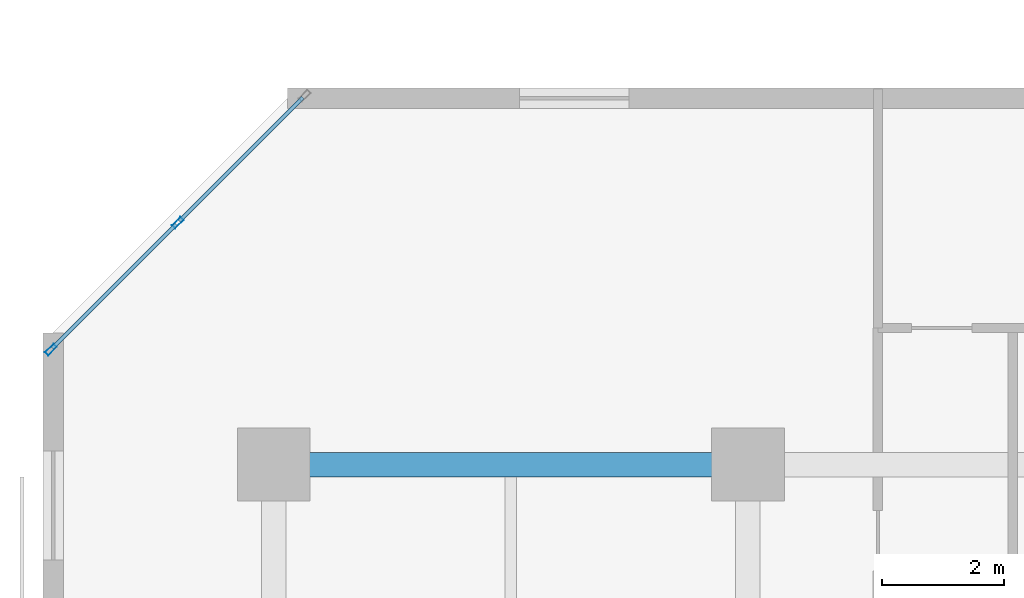
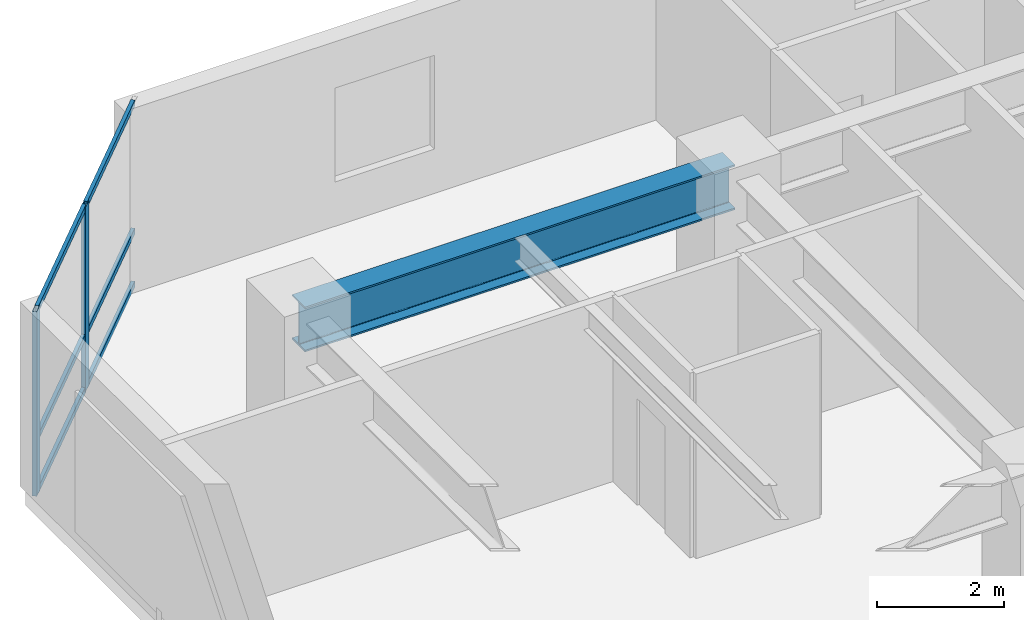
# One storey, part 3 of 12: 8 members, 1 beam, 1 element without a shape of its own.
"""IFC4 building model written with IfcOpenShell, lengths in metres."""

from ifc_helpers import new_model, si_unit, direction, frame, origin, origin_2d, place, context, subcontext, project, spatial, hollow_rectangle, i_section, extrude, material, layer, layer_set, material_profile, profile_set, type_object, element, aggregate, save


model = new_model("IFC4")

# Units and contexts
model_context = context("Model", 3, precision=1e-05, world=origin(), true_north=direction((0.0, 1.0)))
body_context = subcontext(model_context, "Body", "Model", "MODEL_VIEW")
ifc_project = project(units=[si_unit("LENGTHUNIT", "METRE"), si_unit("AREAUNIT", "SQUARE_METRE"), si_unit("VOLUMEUNIT", "CUBIC_METRE"), si_unit("PLANEANGLEUNIT", "RADIAN"), si_unit("MASSUNIT", "GRAM", prefix="KILO")], contexts=[model_context])

# Site, building, storey
site_placement = place(None, origin())
site = spatial("IfcSite", under=ifc_project, at=site_placement, CompositionType="ELEMENT")
building_placement = place(site_placement, origin())
building = spatial("IfcBuilding", under=site, at=building_placement, Name="Kestravale Grand Hotel", CompositionType="ELEMENT")
storey_placement = place(building_placement, frame((0.0, 0.0, 118.39990234375)))
storey = spatial("IfcBuildingStorey", under=building, at=storey_placement, Name="L29", CompositionType="ELEMENT", Elevation=118.39990234375)

# Beam
ifc_material_1 = material(Name="Steel ASTM A992 Grade 50", Category="steel")
ifc_material_profile_1 = material_profile(ifc_material_1, i_section(OverallWidth=0.40087890625, OverallDepth=0.861083984375, WebThickness=0.019775390625, FlangeThickness=0.032470703125, FilletRadius=0.0234375, at=origin_2d()))
ifc_profile_set_1 = profile_set([ifc_material_profile_1], Name="Steel ASTM A992 Grade 50")
beam_type = type_object("IfcBeamType", Name="B-GRD-W33", PredefinedType="BEAM", material=ifc_profile_set_1)
beam_placement = place(storey_placement, frame((7.800048828125, 38.39990234375, 3.109619140625), z_axis=(1.0, 0.0, 0.0), x_axis=(0.0, 1.0, 0.0)))
element("IfcBeam", 1, at=beam_placement, inside=storey, type_object=beam_type, Name="L29 girder F:2-3", PredefinedType="BEAM", context=body_context, shape_type="SweptSolid", body=[
    extrude(i_section(OverallWidth=0.40087890625, OverallDepth=0.861083984375, WebThickness=0.019775390625, FlangeThickness=0.032470703125, FilletRadius=0.0234375, at=origin_2d()), origin(), (0.0, 0.0, 1.0), 7.800048828125),
])

# Curtain wall, members
ifc_material_2 = material(Name="Thermally broken champagne-bronze aluminium and low-E glazing", Category="aluminium")
ifc_layer = layer(ifc_material_2, 0.199951171875)
ifc_layer_set = layer_set([ifc_layer], Name="CW-Z2")
curtain_wall_type = type_object("IfcCurtainWallType", Name="CW-Z2", PredefinedType="NOTDEFINED", material=ifc_layer_set)
curtain_wall_placement = place(storey_placement, origin())
curtain_wall = element("IfcCurtainWall", 2, at=curtain_wall_placement, inside=storey, type_object=curtain_wall_type, Name="L29 unitised curtain wall 18", PredefinedType="NOTDEFINED")
ifc_material_3 = material(Name="Aluminium 6063-T6 anodised", Category="aluminium")
ifc_material_profile_2 = material_profile(ifc_material_3, hollow_rectangle(XDim=0.074951171875, YDim=0.199951171875, WallThickness=0.00390625, at=origin_2d()))
ifc_profile_set_2 = profile_set([ifc_material_profile_2], Name="Aluminium 6063-T6 anodised")
member_type_1 = type_object("IfcMemberType", Name="CW-MUL-200", PredefinedType="MULLION", material=ifc_profile_set_2)
member_1_placement = place(storey_placement, frame((6.22021484375, 42.3798828125, 0.0), z_axis=(0.0, 0.0, 1.0), x_axis=(0.707106781187, -0.707106781187, 0.0)))
member_1 = element("IfcMember", 3, at=member_1_placement, type_object=member_type_1, Name="CW-Z2 mullion 2", PredefinedType="MULLION", context=body_context, shape_type="SweptSolid", body=[
    extrude(hollow_rectangle(XDim=0.074951171875, YDim=0.199951171875, WallThickness=0.00390625, at=origin_2d()), origin(), (0.0, 0.0, 1.0), 3.5400390625),
])
member_2_placement = place(storey_placement, frame((4.132568359375, 40.292236328125, 0.0), z_axis=(0.0, 0.0, 1.0), x_axis=(0.707106781187, -0.707106781187, 0.0)))
member_2 = element("IfcMember", 4, at=member_2_placement, type_object=member_type_1, Name="CW-Z2 mullion 3", PredefinedType="MULLION", context=body_context, shape_type="SweptSolid", body=[
    extrude(hollow_rectangle(XDim=0.074951171875, YDim=0.199951171875, WallThickness=0.00390625, at=origin_2d()), origin(), (0.0, 0.0, 1.0), 3.5400390625),
])
ifc_material_4 = material(Name="Aluminium 6063-T6 anodised", Category="aluminium")
ifc_material_profile_3 = material_profile(ifc_material_4, hollow_rectangle(XDim=0.06494140625, YDim=0.114990234375, WallThickness=0.003173828125, at=origin_2d()))
ifc_profile_set_3 = profile_set([ifc_material_profile_3], Name="Aluminium 6063-T6 anodised")
member_type_2 = type_object("IfcMemberType", Name="CW-TRN-115", PredefinedType="USERDEFINED", material=ifc_profile_set_3)
member_3_placement = place(storey_placement, frame((8.28125, 44.44091796875, 0.03271484375), z_axis=(-0.707064354356, -0.707149205472, 0.0), x_axis=(0.707149205472, -0.707064354356, 0.0)))
member_3 = element("IfcMember", 5, at=member_3_placement, type_object=member_type_2, Name="CW-Z2 transom 1.1", ObjectType="TRANSOM", PredefinedType="USERDEFINED", context=body_context, shape_type="SweptSolid", body=[
    extrude(hollow_rectangle(XDim=0.06494140625, YDim=0.114990234375, WallThickness=0.003173828125, at=origin_2d()), origin(), (0.0, 0.0, 1.0), 2.877197265625),
])
member_4_placement = place(storey_placement, frame((8.28125, 44.44091796875, 1.050048828125), z_axis=(-0.707064354356, -0.707149205472, 0.0), x_axis=(0.707149205472, -0.707064354356, 0.0)))
member_4 = element("IfcMember", 6, at=member_4_placement, type_object=member_type_2, Name="CW-Z2 transom 1.2", ObjectType="TRANSOM", PredefinedType="USERDEFINED", context=body_context, shape_type="SweptSolid", body=[
    extrude(hollow_rectangle(XDim=0.06494140625, YDim=0.114990234375, WallThickness=0.003173828125, at=origin_2d()), origin(), (0.0, 0.0, 1.0), 2.877197265625),
])
member_5_placement = place(storey_placement, frame((8.28125, 44.44091796875, 3.507568359375), z_axis=(-0.707064354356, -0.707149205472, 0.0), x_axis=(0.707149205472, -0.707064354356, 0.0)))
member_5 = element("IfcMember", 7, at=member_5_placement, type_object=member_type_2, Name="CW-Z2 transom 1.3", ObjectType="TRANSOM", PredefinedType="USERDEFINED", context=body_context, shape_type="SweptSolid", body=[
    extrude(hollow_rectangle(XDim=0.06494140625, YDim=0.114990234375, WallThickness=0.003173828125, at=origin_2d()), origin(), (0.0, 0.0, 1.0), 2.877197265625),
])
member_6_placement = place(storey_placement, frame((6.193603515625, 42.353271484375, 0.03271484375), z_axis=(-0.707106781187, -0.707106781187, 0.0), x_axis=(0.707106781187, -0.707106781187, 0.0)))
member_6 = element("IfcMember", 8, at=member_6_placement, type_object=member_type_2, Name="CW-Z2 transom 2.1", ObjectType="TRANSOM", PredefinedType="USERDEFINED", context=body_context, shape_type="SweptSolid", body=[
    extrude(hollow_rectangle(XDim=0.06494140625, YDim=0.114990234375, WallThickness=0.003173828125, at=origin_2d()), origin(), (0.0, 0.0, 1.0), 2.87744140625),
])
member_7_placement = place(storey_placement, frame((6.193603515625, 42.353271484375, 1.050048828125), z_axis=(-0.707106781187, -0.707106781187, 0.0), x_axis=(0.707106781187, -0.707106781187, 0.0)))
member_7 = element("IfcMember", 9, at=member_7_placement, type_object=member_type_2, Name="CW-Z2 transom 2.2", ObjectType="TRANSOM", PredefinedType="USERDEFINED", context=body_context, shape_type="SweptSolid", body=[
    extrude(hollow_rectangle(XDim=0.06494140625, YDim=0.114990234375, WallThickness=0.003173828125, at=origin_2d()), origin(), (0.0, 0.0, 1.0), 2.87744140625),
])
member_8_placement = place(storey_placement, frame((6.193603515625, 42.353271484375, 3.507568359375), z_axis=(-0.707106781187, -0.707106781187, 0.0), x_axis=(0.707106781187, -0.707106781187, 0.0)))
member_8 = element("IfcMember", 10, at=member_8_placement, type_object=member_type_2, Name="CW-Z2 transom 2.3", ObjectType="TRANSOM", PredefinedType="USERDEFINED", context=body_context, shape_type="SweptSolid", body=[
    extrude(hollow_rectangle(XDim=0.06494140625, YDim=0.114990234375, WallThickness=0.003173828125, at=origin_2d()), origin(), (0.0, 0.0, 1.0), 2.87744140625),
])
aggregate(curtain_wall, [member_1, member_2, member_3, member_4, member_5, member_6, member_7, member_8])

save(model, "model.ifc")
